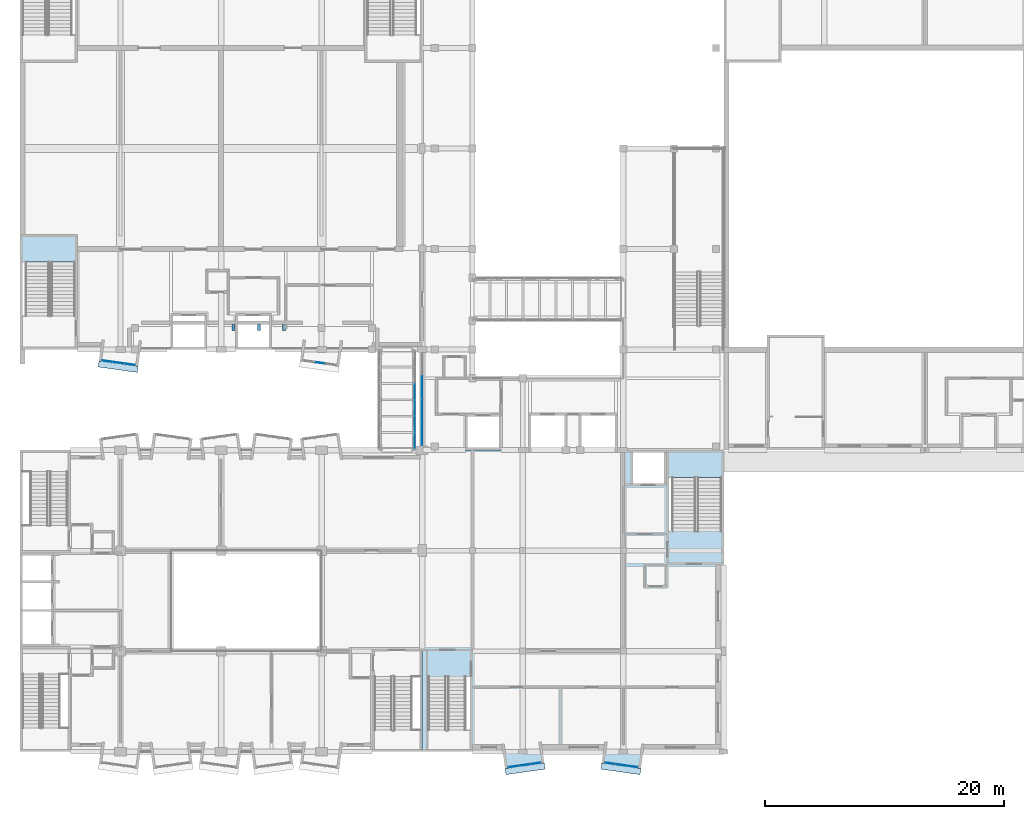
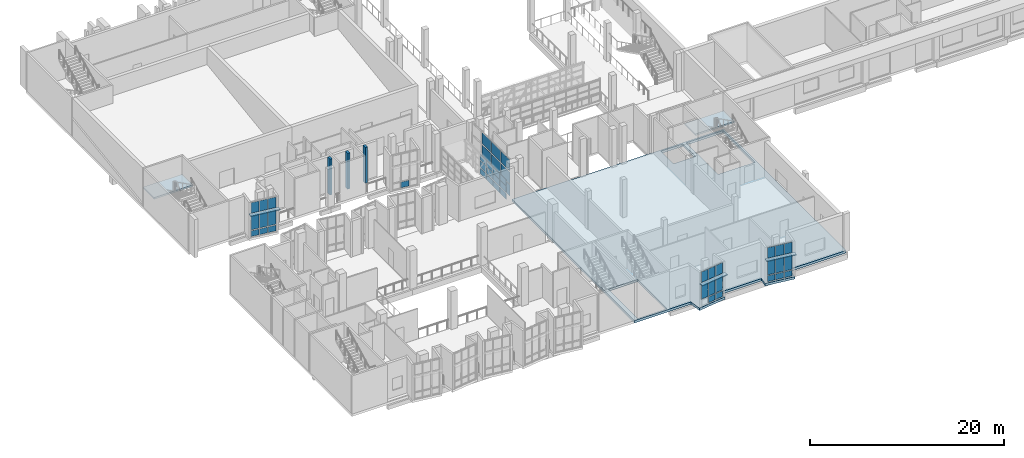
# One storey, part 31 of 86: 54 plates, 3 slabs, 8 elements without a shape of their own.
"""IFC4 building model written with IfcOpenShell, lengths in metres."""

from ifc_helpers import new_model, si_unit, direction, frame, origin, origin_2d, place, context, subcontext, project, spatial, polyline, rectangle, outline, extrude, material, layer, layer_set, type_object, element, aggregate, save


model = new_model("IFC4")

# Units and contexts
model_context = context("Model", 3, precision=1e-05, world=origin(), true_north=direction((0.0, 1.0)))
body_context = subcontext(model_context, "Body", "Model", "MODEL_VIEW")
ifc_project = project(units=[si_unit("LENGTHUNIT", "METRE"), si_unit("AREAUNIT", "SQUARE_METRE"), si_unit("VOLUMEUNIT", "CUBIC_METRE"), si_unit("PLANEANGLEUNIT", "RADIAN"), si_unit("MASSUNIT", "GRAM", prefix="KILO")], contexts=[model_context])

# Site, building, storey
site_placement = place(None, origin())
site = spatial("IfcSite", under=ifc_project, at=site_placement, CompositionType="ELEMENT")
building_placement = place(site_placement, origin())
building = spatial("IfcBuilding", under=site, at=building_placement, Name="Kiln Court Media Centre", CompositionType="ELEMENT")
storey_placement = place(building_placement, frame((0.0, 0.0, 10.199951171875)))
storey = spatial("IfcBuildingStorey", under=building, at=storey_placement, Name="L02", CompositionType="ELEMENT", Elevation=10.199951171875)

# Slab
ifc_material_1 = material(Name="Concrete C30/37", Category="concrete")
ifc_layer_1 = layer(ifc_material_1, 0.300048828125)
ifc_layer_set_1 = layer_set([ifc_layer_1], Name="Concrete C30/37 floor slab 300")
slab_type_1 = type_object("IfcSlabType", Name="Concrete C30/37 floor slab 300", PredefinedType="FLOOR", material=ifc_layer_set_1)
slab_1_placement = place(storey_placement, frame((0.0, 0.0, -0.300048828125)))
element("IfcSlab", 1, at=slab_1_placement, inside=storey, type_object=slab_type_1, Name="L02-SL-1001", PredefinedType="FLOOR", context=body_context, shape_type="SweptSolid", body=[
    extrude(outline(polyline([(40.533203125, -1.41845703125), (40.333251953125, 0.0), (33.60009765625, 0.0), (33.60009765625, 25.199951171875), (58.800048828125, 25.199951171875), (58.800048828125, 0.0), (52.066650390625, 0.0), (51.866943359375, -1.41845703125), (48.598876953125, -0.958984375), (48.7333984375, 0.0), (43.666748046875, 0.0), (43.801025390625, -0.958984375), (40.533203125, -1.41845703125)]), holes=[polyline([(34.10009765625, 0.199951171875), (37.60009765625, 0.199951171875), (37.60009765625, 6.260009765625), (34.10009765625, 6.260009765625), (34.10009765625, 0.199951171875)]), polyline([(54.199951171875, 18.43994140625), (58.60009765625, 18.43994140625), (58.60009765625, 25.0), (54.199951171875, 25.0), (54.199951171875, 18.43994140625)]), polyline([(51.199951171875, 22.39990234375), (53.800048828125, 22.39990234375), (53.800048828125, 25.0), (51.199951171875, 25.0), (51.199951171875, 22.39990234375)])]), origin(), (0.0, 0.0, 1.0), 0.300048828125),
])

# Plates
ifc_material_2 = material(Name="Concrete C30/37", Category="concrete")
ifc_layer_2 = layer(ifc_material_2, 0.1201171875)
ifc_layer_set_2 = layer_set([ifc_layer_2], Name="Concrete C30/37 sunshade hood 120")
plate_type_1 = type_object("IfcPlateType", Name="Concrete C30/37 sunshade hood 120", PredefinedType="USERDEFINED", material=ifc_layer_set_2)
plate_1_placement = place(storey_placement, frame((0.0, 0.0, 3.0)))
element("IfcPlate", 2, at=plate_1_placement, inside=storey, type_object=plate_type_1, Name="SUNSHADE V4-S-L02-10", ObjectType="SUNSHADE", PredefinedType="USERDEFINED", context=body_context, shape_type="SweptSolid", body=[
    extrude(outline(polyline([(6.59912109375, 32.641357421875), (9.866943359375, 32.181884765625), (9.79736328125, 31.68701171875), (6.529541015625, 32.146240234375), (6.59912109375, 32.641357421875)])), origin(), (0.0, 0.0, 1.0), 0.1201171875),
])
plate_2_placement = place(storey_placement, frame((0.0, 0.0, 3.0)))
element("IfcPlate", 3, at=plate_2_placement, inside=storey, type_object=plate_type_1, Name="SUNSHADE V6B-S-L02-04", ObjectType="SUNSHADE", PredefinedType="USERDEFINED", context=body_context, shape_type="SweptSolid", body=[
    extrude(outline(polyline([(40.533203125, -1.41796875), (43.801025390625, -0.958740234375), (43.87060546875, -1.453857421875), (40.602783203125, -1.9130859375), (40.533203125, -1.41796875)])), origin(), (0.0, 0.0, 1.0), 0.1201171875),
])
plate_3_placement = place(storey_placement, frame((0.0, 0.0, 3.0)))
element("IfcPlate", 4, at=plate_3_placement, inside=storey, type_object=plate_type_1, Name="SUNSHADE V6B-S-L02-05", ObjectType="SUNSHADE", PredefinedType="USERDEFINED", context=body_context, shape_type="SweptSolid", body=[
    extrude(outline(polyline([(48.59912109375, -0.958740234375), (51.866943359375, -1.41796875), (51.79736328125, -1.9130859375), (48.529541015625, -1.453857421875), (48.59912109375, -0.958740234375)])), origin(), (0.0, 0.0, 1.0), 0.1201171875),
])
ifc_material_3 = material(Name="Concrete C40/50", Category="concrete")
ifc_layer_3 = layer(ifc_material_3, 0.25)
ifc_layer_set_3 = layer_set([ifc_layer_3], Name="Concrete C40/50 shading fin 250")
plate_type_2 = type_object("IfcPlateType", Name="Concrete C40/50 shading fin 250", PredefinedType="SHEET", material=ifc_layer_set_3)
for number, where, z_axis, x_axis, name in (
    (5, (17.85009765625, 35.449951171875, 0.0), (0.0, 0.0, 1.0), (1.0, 0.0, 0.0), "V4 S fin L02"),
    (6, (19.949951171875, 35.449951171875, 0.0), (0.0, 0.0, 1.0), (1.0, 0.0, 0.0), "V4 S fin L02"),
    (7, (22.050048828125, 35.449951171875, 0.0), (0.0, 0.0, 1.0), (1.0, 0.0, 0.0), "V4 S fin L02"),
):
    element("IfcPlate", number, at=place(storey_placement, frame(where, z_axis=z_axis, x_axis=x_axis)), inside=storey, type_object=plate_type_2, Name=name, PredefinedType="SHEET", context=body_context, shape_type="SweptSolid", body=[
        extrude(rectangle(XDim=0.25, YDim=0.5, at=origin_2d()), origin(), (0.0, 0.0, 1.0), 4.5),
    ])

# Stair, slab
ifc_material_4 = material(Name="Concrete C40/50", Category="concrete")
stair_type = type_object("IfcStairType", Name="Concrete C40/50 dog-leg stair 2000 wide, 150 riser", PredefinedType="HALF_TURN_STAIR", material=ifc_material_4)
stair_1_placement = place(storey_placement, origin())
stair_1 = element("IfcStair", 8, at=stair_1_placement, inside=storey, type_object=stair_type, Name="ST-05 L02", PredefinedType="HALF_TURN_STAIR")
ifc_material_5 = material(Name="Concrete C40/50", Category="concrete")
ifc_layer_4 = layer(ifc_material_5, 0.199951171875)
ifc_layer_set_4 = layer_set([ifc_layer_4], Name="Concrete C40/50 stair landing 200")
slab_type_2 = type_object("IfcSlabType", Name="Concrete C40/50 stair landing 200", PredefinedType="LANDING", material=ifc_layer_set_4)
slab_2_placement = place(storey_placement, frame((0.0, 0.0, 2.199951171875)))
slab_2 = element("IfcSlab", 9, at=slab_2_placement, type_object=slab_type_2, Name="L02-ST-5004 landing 5004", PredefinedType="LANDING", context=body_context, shape_type="SweptSolid", body=[
    extrude(outline(polyline([(58.719970703125, 22.89990234375), (58.719970703125, 25.1201171875), (54.080078125, 25.1201171875), (54.080078125, 22.89990234375), (58.719970703125, 22.89990234375)])), origin(), (0.0, 0.0, 1.0), 0.2001953125),
])
aggregate(stair_1, [slab_2])

stair_2_placement = place(storey_placement, origin())
stair_2 = element("IfcStair", 10, at=stair_2_placement, inside=storey, type_object=stair_type, Name="ST-06 L02", PredefinedType="HALF_TURN_STAIR")
slab_3_placement = place(storey_placement, frame((0.0, 0.0, 2.199951171875)))
slab_3 = element("IfcSlab", 11, at=slab_3_placement, type_object=slab_type_2, Name="L02-ST-5005 landing 5005", PredefinedType="LANDING", context=body_context, shape_type="SweptSolid", body=[
    extrude(outline(polyline([(4.719970703125, 40.89990234375), (4.719970703125, 43.1201171875), (0.080078125, 43.1201171875), (0.080078125, 40.89990234375), (4.719970703125, 40.89990234375)])), origin(), (0.0, 0.0, 1.0), 0.2001953125),
])
aggregate(stair_2, [slab_3])

# Curtain wall, plates
ifc_material_6 = material(Name="Aluminium 6063-T6", Category="aluminium")
ifc_layer_5 = layer(ifc_material_6, 0.1201171875)
ifc_layer_set_5 = layer_set([ifc_layer_5], Name="Aluminium unitised curtain wall, bridge")
curtain_wall_type_1 = type_object("IfcCurtainWallType", Name="Aluminium unitised curtain wall, bridge", PredefinedType="USERDEFINED", material=ifc_layer_set_5)
curtain_wall_1_placement = place(storey_placement, origin())
curtain_wall_1 = element("IfcCurtainWall", 12, at=curtain_wall_1_placement, inside=storey, type_object=curtain_wall_type_1, Name="BR-1 side glazing", ObjectType="UNITISED CURTAIN WALL", PredefinedType="USERDEFINED")
ifc_material_7 = material(Name="Aluminium insulated spandrel", Category="aluminium")
ifc_layer_6 = layer(ifc_material_7, 0.028076171875)
ifc_layer_set_6 = layer_set([ifc_layer_6], Name="Insulated aluminium spandrel panel 28")
plate_type_3 = type_object("IfcPlateType", Name="Insulated aluminium spandrel panel 28", PredefinedType="CURTAIN_PANEL", material=ifc_layer_set_6)
plate_4_placement = place(storey_placement, frame((32.985107421875, 25.995849609375, 0.10009765625), z_axis=(0.0, 0.0, 1.0), x_axis=(0.0, 1.0, 0.0)))
plate_4 = element("IfcPlate", 13, at=plate_4_placement, type_object=plate_type_3, Name="CW2-64 panel 1.1", PredefinedType="CURTAIN_PANEL", context=body_context, shape_type="SweptSolid", body=[
    extrude(rectangle(XDim=1.291748046875, YDim=0.028076171875, at=origin_2d()), origin(), (0.0, 0.0, 1.0), 0.74169921875),
])
plate_5_placement = place(storey_placement, frame((32.985107421875, 25.995849609375, 0.94189453125), z_axis=(0.0, 0.0, 1.0), x_axis=(0.0, 1.0, 0.0)))
plate_5 = element("IfcPlate", 14, at=plate_5_placement, type_object=plate_type_3, Name="CW2-64 panel 1.2", PredefinedType="CURTAIN_PANEL", context=body_context, shape_type="SweptSolid", body=[
    extrude(rectangle(XDim=1.291748046875, YDim=0.028076171875, at=origin_2d()), origin(), (0.0, 0.0, 1.0), 0.79150390625),
])
plate_6_placement = place(storey_placement, frame((32.985107421875, 27.35009765625, 0.10009765625), z_axis=(0.0, 0.0, 1.0), x_axis=(0.0, 1.0, 0.0)))
plate_6 = element("IfcPlate", 15, at=plate_6_placement, type_object=plate_type_3, Name="CW2-64 panel 2.1", PredefinedType="CURTAIN_PANEL", context=body_context, shape_type="SweptSolid", body=[
    extrude(rectangle(XDim=1.316650390625, YDim=0.028076171875, at=origin_2d()), origin(), (0.0, 0.0, 1.0), 0.74169921875),
])
plate_7_placement = place(storey_placement, frame((32.985107421875, 27.35009765625, 1.833251953125), z_axis=(0.0, 0.0, 1.0), x_axis=(0.0, 1.0, 0.0)))
plate_7 = element("IfcPlate", 16, at=plate_7_placement, type_object=plate_type_3, Name="CW2-64 panel 2.3", PredefinedType="CURTAIN_PANEL", context=body_context, shape_type="SweptSolid", body=[
    extrude(rectangle(XDim=1.316650390625, YDim=0.028076171875, at=origin_2d()), origin(), (0.0, 0.0, 1.0), 0.74169921875),
])
plate_8_placement = place(storey_placement, frame((32.985107421875, 28.716552734375, 0.10009765625), z_axis=(0.0, 0.0, 1.0), x_axis=(0.0, 1.0, 0.0)))
plate_8 = element("IfcPlate", 17, at=plate_8_placement, type_object=plate_type_3, Name="CW2-64 panel 3.1", PredefinedType="CURTAIN_PANEL", context=body_context, shape_type="SweptSolid", body=[
    extrude(rectangle(XDim=1.316650390625, YDim=0.028076171875, at=origin_2d()), origin(), (0.0, 0.0, 1.0), 0.74169921875),
])
plate_9_placement = place(storey_placement, frame((32.985107421875, 28.716552734375, 0.94189453125), z_axis=(0.0, 0.0, 1.0), x_axis=(0.0, 1.0, 0.0)))
plate_9 = element("IfcPlate", 18, at=plate_9_placement, type_object=plate_type_3, Name="CW2-64 panel 3.2", PredefinedType="CURTAIN_PANEL", context=body_context, shape_type="SweptSolid", body=[
    extrude(rectangle(XDim=1.316650390625, YDim=0.028076171875, at=origin_2d()), origin(), (0.0, 0.0, 1.0), 0.79150390625),
])
plate_10_placement = place(storey_placement, frame((32.985107421875, 28.716552734375, 1.833251953125), z_axis=(0.0, 0.0, 1.0), x_axis=(0.0, 1.0, 0.0)))
plate_10 = element("IfcPlate", 19, at=plate_10_placement, type_object=plate_type_3, Name="CW2-64 panel 3.3", PredefinedType="CURTAIN_PANEL", context=body_context, shape_type="SweptSolid", body=[
    extrude(rectangle(XDim=1.316650390625, YDim=0.028076171875, at=origin_2d()), origin(), (0.0, 0.0, 1.0), 0.74169921875),
])
plate_11_placement = place(storey_placement, frame((32.985107421875, 30.083251953125, 0.10009765625), z_axis=(0.0, 0.0, 1.0), x_axis=(0.0, 1.0, 0.0)))
plate_11 = element("IfcPlate", 20, at=plate_11_placement, type_object=plate_type_3, Name="CW2-64 panel 4.1", PredefinedType="CURTAIN_PANEL", context=body_context, shape_type="SweptSolid", body=[
    extrude(rectangle(XDim=1.316650390625, YDim=0.028076171875, at=origin_2d()), origin(), (0.0, 0.0, 1.0), 0.74169921875),
])
plate_12_placement = place(storey_placement, frame((32.985107421875, 30.083251953125, 0.94189453125), z_axis=(0.0, 0.0, 1.0), x_axis=(0.0, 1.0, 0.0)))
plate_12 = element("IfcPlate", 21, at=plate_12_placement, type_object=plate_type_3, Name="CW2-64 panel 4.2", PredefinedType="CURTAIN_PANEL", context=body_context, shape_type="SweptSolid", body=[
    extrude(rectangle(XDim=1.316650390625, YDim=0.028076171875, at=origin_2d()), origin(), (0.0, 0.0, 1.0), 0.79150390625),
])
plate_13_placement = place(storey_placement, frame((32.985107421875, 30.083251953125, 1.833251953125), z_axis=(0.0, 0.0, 1.0), x_axis=(0.0, 1.0, 0.0)))
plate_13 = element("IfcPlate", 22, at=plate_13_placement, type_object=plate_type_3, Name="CW2-64 panel 4.3", PredefinedType="CURTAIN_PANEL", context=body_context, shape_type="SweptSolid", body=[
    extrude(rectangle(XDim=1.316650390625, YDim=0.028076171875, at=origin_2d()), origin(), (0.0, 0.0, 1.0), 0.74169921875),
])

ifc_material_8 = material(Name="Aluminium 6063-T6", Category="aluminium")
ifc_layer_7 = layer(ifc_material_8, 0.1201171875)
ifc_layer_set_7 = layer_set([ifc_layer_7], Name="Aluminium stick curtain wall, gallery")
curtain_wall_type_2 = type_object("IfcCurtainWallType", Name="Aluminium stick curtain wall, gallery", PredefinedType="USERDEFINED", material=ifc_layer_set_7)
curtain_wall_2_placement = place(storey_placement, origin())
curtain_wall_2 = element("IfcCurtainWall", 23, at=curtain_wall_2_placement, inside=storey, type_object=curtain_wall_type_2, Name="Foyer west glazing L02", ObjectType="STICK CURTAIN WALL", PredefinedType="USERDEFINED")
ifc_material_9 = material(Name="Aluminium insulated spandrel", Category="aluminium")
ifc_layer_8 = layer(ifc_material_9, 0.033935546875)
ifc_layer_set_8 = layer_set([ifc_layer_8], Name="Insulated aluminium spandrel panel 34")
plate_type_4 = type_object("IfcPlateType", Name="Insulated aluminium spandrel panel 34", PredefinedType="CURTAIN_PANEL", material=ifc_layer_set_8)
plate_14_placement = place(storey_placement, frame((33.60009765625, 26.5400390625, 0.14013671875), z_axis=(0.0, 0.0, 1.0), x_axis=(0.0, 1.0, 0.0)))
plate_14 = element("IfcPlate", 24, at=plate_14_placement, type_object=plate_type_4, Name="CW2-62 panel 1.1", PredefinedType="CURTAIN_PANEL", context=body_context, shape_type="SweptSolid", body=[
    extrude(rectangle(XDim=1.860107421875, YDim=0.033935546875, at=origin_2d()), origin(), (0.0, 0.0, 1.0), 1.389892578125),
])
plate_15_placement = place(storey_placement, frame((33.60009765625, 26.5400390625, 1.670166015625), z_axis=(0.0, 0.0, 1.0), x_axis=(0.0, 1.0, 0.0)))
plate_15 = element("IfcPlate", 25, at=plate_15_placement, type_object=plate_type_4, Name="CW2-62 panel 1.2", PredefinedType="CURTAIN_PANEL", context=body_context, shape_type="SweptSolid", body=[
    extrude(rectangle(XDim=1.860107421875, YDim=0.033935546875, at=origin_2d()), origin(), (0.0, 0.0, 1.0), 1.4599609375),
])
plate_16_placement = place(storey_placement, frame((33.60009765625, 28.47509765625, 0.14013671875), z_axis=(0.0, 0.0, 1.0), x_axis=(0.0, 1.0, 0.0)))
plate_16 = element("IfcPlate", 26, at=plate_16_placement, type_object=plate_type_4, Name="CW2-62 panel 2.1", PredefinedType="CURTAIN_PANEL", context=body_context, shape_type="SweptSolid", body=[
    extrude(rectangle(XDim=1.889892578125, YDim=0.033935546875, at=origin_2d()), origin(), (0.0, 0.0, 1.0), 1.389892578125),
])
plate_17_placement = place(storey_placement, frame((33.60009765625, 28.47509765625, 1.670166015625), z_axis=(0.0, 0.0, 1.0), x_axis=(0.0, 1.0, 0.0)))
plate_17 = element("IfcPlate", 27, at=plate_17_placement, type_object=plate_type_4, Name="CW2-62 panel 2.2", PredefinedType="CURTAIN_PANEL", context=body_context, shape_type="SweptSolid", body=[
    extrude(rectangle(XDim=1.889892578125, YDim=0.033935546875, at=origin_2d()), origin(), (0.0, 0.0, 1.0), 1.4599609375),
])
plate_18_placement = place(storey_placement, frame((33.60009765625, 30.425048828125, 0.14013671875), z_axis=(0.0, 0.0, 1.0), x_axis=(0.0, 1.0, 0.0)))
plate_18 = element("IfcPlate", 28, at=plate_18_placement, type_object=plate_type_4, Name="CW2-62 panel 3.1", PredefinedType="CURTAIN_PANEL", context=body_context, shape_type="SweptSolid", body=[
    extrude(rectangle(XDim=1.889892578125, YDim=0.033935546875, at=origin_2d()), origin(), (0.0, 0.0, 1.0), 1.389892578125),
])
plate_19_placement = place(storey_placement, frame((33.60009765625, 30.425048828125, 1.670166015625), z_axis=(0.0, 0.0, 1.0), x_axis=(0.0, 1.0, 0.0)))
plate_19 = element("IfcPlate", 29, at=plate_19_placement, type_object=plate_type_4, Name="CW2-62 panel 3.2", PredefinedType="CURTAIN_PANEL", context=body_context, shape_type="SweptSolid", body=[
    extrude(rectangle(XDim=1.889892578125, YDim=0.033935546875, at=origin_2d()), origin(), (0.0, 0.0, 1.0), 1.4599609375),
])

ifc_material_10 = material(Name="Aluminium 6063-T6", Category="aluminium")
ifc_layer_9 = layer(ifc_material_10, 0.1201171875)
ifc_layer_set_9 = layer_set([ifc_layer_9], Name="Aluminium unitised bay curtain wall")
curtain_wall_type_3 = type_object("IfcCurtainWallType", Name="Aluminium unitised bay curtain wall", PredefinedType="USERDEFINED", material=ifc_layer_set_9)
curtain_wall_3_placement = place(storey_placement, origin())
curtain_wall_3 = element("IfcCurtainWall", 30, at=curtain_wall_3_placement, inside=storey, type_object=curtain_wall_type_3, Name="BAY V4-S-L02-10 front", ObjectType="UNITISED CURTAIN WALL", PredefinedType="USERDEFINED")
ifc_material_11 = material(Name="Aluminium insulated spandrel", Category="aluminium")
ifc_layer_10 = layer(ifc_material_11, 0.028076171875)
ifc_layer_set_10 = layer_set([ifc_layer_10], Name="Insulated spandrel panel 28")
plate_type_5 = type_object("IfcPlateType", Name="Insulated spandrel panel 28", PredefinedType="CURTAIN_PANEL", material=ifc_layer_set_10)
plate_20_placement = place(storey_placement, frame((7.3115234375, 32.621826171875, 0.1201171875), z_axis=(0.0, 0.0, 1.0), x_axis=(0.990269562409, -0.139162472554, 0.0)))
plate_20 = element("IfcPlate", 31, at=plate_20_placement, type_object=plate_type_5, Name="CW2-01 panel 1.1", PredefinedType="CURTAIN_PANEL", context=body_context, shape_type="SweptSolid", body=[
    extrude(rectangle(XDim=0.86669921875, YDim=0.028076171875, at=origin_2d()), origin(), (0.0, 0.0, 1.0), 0.719970703125),
])
plate_21_placement = place(storey_placement, frame((8.244140625, 32.490966796875, 0.1201171875), z_axis=(0.0, 0.0, 1.0), x_axis=(0.990269562409, -0.139162472554, 0.0)))
plate_21 = element("IfcPlate", 32, at=plate_21_placement, type_object=plate_type_5, Name="CW2-01 panel 2.1", PredefinedType="CURTAIN_PANEL", context=body_context, shape_type="SweptSolid", body=[
    extrude(rectangle(XDim=0.896728515625, YDim=0.028076171875, at=origin_2d()), origin(), (0.0, 0.0, 1.0), 0.719970703125),
])
plate_22_placement = place(storey_placement, frame((9.1767578125, 32.35986328125, 0.1201171875), z_axis=(0.0, 0.0, 1.0), x_axis=(0.990269562409, -0.139162472554, 0.0)))
plate_22 = element("IfcPlate", 33, at=plate_22_placement, type_object=plate_type_5, Name="CW2-01 panel 3.1", PredefinedType="CURTAIN_PANEL", context=body_context, shape_type="SweptSolid", body=[
    extrude(rectangle(XDim=0.86669921875, YDim=0.028076171875, at=origin_2d()), origin(), (0.0, 0.0, 1.0), 0.719970703125),
])

# Curtain wall, plate
curtain_wall_4_placement = place(storey_placement, origin())
curtain_wall_4 = element("IfcCurtainWall", 34, at=curtain_wall_4_placement, inside=storey, type_object=curtain_wall_type_3, Name="BAY V4-S-L02-14 front", ObjectType="UNITISED CURTAIN WALL", PredefinedType="USERDEFINED")
plate_23_placement = place(storey_placement, frame((25.044189453125, 32.490966796875, 0.1201171875), z_axis=(0.0, 0.0, 1.0), x_axis=(0.990269562409, -0.139162472554, 0.0)))
plate_23 = element("IfcPlate", 35, at=plate_23_placement, type_object=plate_type_5, Name="CW2-02 panel 2.1", PredefinedType="CURTAIN_PANEL", context=body_context, shape_type="SweptSolid", body=[
    extrude(rectangle(XDim=0.896728515625, YDim=0.028076171875, at=origin_2d()), origin(), (0.0, 0.0, 1.0), 0.719970703125),
])
aggregate(curtain_wall_4, [plate_23])

# Curtain wall, plates
curtain_wall_5_placement = place(storey_placement, origin())
curtain_wall_5 = element("IfcCurtainWall", 36, at=curtain_wall_5_placement, inside=storey, type_object=curtain_wall_type_3, Name="BAY V6B-S-L02-04 front", ObjectType="UNITISED CURTAIN WALL", PredefinedType="USERDEFINED")
plate_24_placement = place(storey_placement, frame((42.15576171875, -1.109130859375, 0.1201171875), z_axis=(0.0, 0.0, 1.0), x_axis=(0.990269562409, 0.139162472554, 0.0)))
plate_24 = element("IfcPlate", 37, at=plate_24_placement, type_object=plate_type_5, Name="CW2-13 panel 2.1", PredefinedType="CURTAIN_PANEL", context=body_context, shape_type="SweptSolid", body=[
    extrude(rectangle(XDim=0.896728515625, YDim=0.028076171875, at=origin_2d()), origin(), (0.0, 0.0, 1.0), 0.719970703125),
])
plate_25_placement = place(storey_placement, frame((43.08837890625, -0.97802734375, 0.1201171875), z_axis=(0.0, 0.0, 1.0), x_axis=(0.990269562409, 0.139162472554, 0.0)))
plate_25 = element("IfcPlate", 38, at=plate_25_placement, type_object=plate_type_5, Name="CW2-13 panel 3.1", PredefinedType="CURTAIN_PANEL", context=body_context, shape_type="SweptSolid", body=[
    extrude(rectangle(XDim=0.86669921875, YDim=0.028076171875, at=origin_2d()), origin(), (0.0, 0.0, 1.0), 0.719970703125),
])

curtain_wall_6_placement = place(storey_placement, origin())
curtain_wall_6 = element("IfcCurtainWall", 39, at=curtain_wall_6_placement, inside=storey, type_object=curtain_wall_type_3, Name="BAY V6B-S-L02-05 front", ObjectType="UNITISED CURTAIN WALL", PredefinedType="USERDEFINED")
plate_26_placement = place(storey_placement, frame((49.3115234375, -0.97802734375, 0.1201171875), z_axis=(0.0, 0.0, 1.0), x_axis=(0.990269562409, -0.139162472554, 0.0)))
plate_26 = element("IfcPlate", 40, at=plate_26_placement, type_object=plate_type_5, Name="CW2-14 panel 1.1", PredefinedType="CURTAIN_PANEL", context=body_context, shape_type="SweptSolid", body=[
    extrude(rectangle(XDim=0.86669921875, YDim=0.028076171875, at=origin_2d()), origin(), (0.0, 0.0, 1.0), 0.719970703125),
])
plate_27_placement = place(storey_placement, frame((50.244140625, -1.109130859375, 0.1201171875), z_axis=(0.0, 0.0, 1.0), x_axis=(0.990269562409, -0.139162472554, 0.0)))
plate_27 = element("IfcPlate", 41, at=plate_27_placement, type_object=plate_type_5, Name="CW2-14 panel 2.1", PredefinedType="CURTAIN_PANEL", context=body_context, shape_type="SweptSolid", body=[
    extrude(rectangle(XDim=0.896728515625, YDim=0.028076171875, at=origin_2d()), origin(), (0.0, 0.0, 1.0), 0.719970703125),
])
plate_28_placement = place(storey_placement, frame((51.1767578125, -1.240234375, 0.1201171875), z_axis=(0.0, 0.0, 1.0), x_axis=(0.990269562409, -0.139162472554, 0.0)))
plate_28 = element("IfcPlate", 42, at=plate_28_placement, type_object=plate_type_5, Name="CW2-14 panel 3.1", PredefinedType="CURTAIN_PANEL", context=body_context, shape_type="SweptSolid", body=[
    extrude(rectangle(XDim=0.86669921875, YDim=0.028076171875, at=origin_2d()), origin(), (0.0, 0.0, 1.0), 0.719970703125),
])

# Plate
ifc_material_12 = material(Name="Laminated low-E glazing", Category="glass")
ifc_layer_11 = layer(ifc_material_12, 0.028076171875)
ifc_layer_set_11 = layer_set([ifc_layer_11], Name="Laminated low-E glazed panel 28")
plate_type_6 = type_object("IfcPlateType", Name="Laminated low-E glazed panel 28", PredefinedType="CURTAIN_PANEL", material=ifc_layer_set_11)
plate_29_placement = place(storey_placement, frame((32.985107421875, 25.995849609375, 1.833251953125), z_axis=(0.0, 0.0, 1.0), x_axis=(0.0, 1.0, 0.0)))
plate_29 = element("IfcPlate", 43, at=plate_29_placement, type_object=plate_type_6, Name="CW2-64 panel 1.3", PredefinedType="CURTAIN_PANEL", context=body_context, shape_type="SweptSolid", body=[
    extrude(rectangle(XDim=1.291748046875, YDim=0.028076171875, at=origin_2d()), origin(), (0.0, 0.0, 1.0), 0.74169921875),
])

plate_30_placement = place(storey_placement, frame((32.985107421875, 27.35009765625, 0.94189453125), z_axis=(0.0, 0.0, 1.0), x_axis=(0.0, 1.0, 0.0)))
plate_30 = element("IfcPlate", 44, at=plate_30_placement, type_object=plate_type_6, Name="CW2-64 panel 2.2", PredefinedType="CURTAIN_PANEL", context=body_context, shape_type="SweptSolid", body=[
    extrude(rectangle(XDim=1.316650390625, YDim=0.028076171875, at=origin_2d()), origin(), (0.0, 0.0, 1.0), 0.79150390625),
])

aggregate(curtain_wall_1, [plate_4, plate_5, plate_29, plate_6, plate_30, plate_7, plate_8, plate_9, plate_10, plate_11, plate_12, plate_13])

ifc_material_13 = material(Name="Laminated low-E glazing", Category="glass")
ifc_layer_12 = layer(ifc_material_13, 0.033935546875)
ifc_layer_set_12 = layer_set([ifc_layer_12], Name="Laminated low-E glazed panel 34")
plate_type_7 = type_object("IfcPlateType", Name="Laminated low-E glazed panel 34", PredefinedType="CURTAIN_PANEL", material=ifc_layer_set_12)
plate_31_placement = place(storey_placement, frame((33.60009765625, 26.5400390625, 3.27001953125), z_axis=(0.0, 0.0, 1.0), x_axis=(0.0, 1.0, 0.0)))
plate_31 = element("IfcPlate", 45, at=plate_31_placement, type_object=plate_type_7, Name="CW2-62 panel 1.3", PredefinedType="CURTAIN_PANEL", context=body_context, shape_type="SweptSolid", body=[
    extrude(rectangle(XDim=1.860107421875, YDim=0.033935546875, at=origin_2d()), origin(), (0.0, 0.0, 1.0), 1.389892578125),
])

plate_32_placement = place(storey_placement, frame((33.60009765625, 28.47509765625, 3.27001953125), z_axis=(0.0, 0.0, 1.0), x_axis=(0.0, 1.0, 0.0)))
plate_32 = element("IfcPlate", 46, at=plate_32_placement, type_object=plate_type_7, Name="CW2-62 panel 2.3", PredefinedType="CURTAIN_PANEL", context=body_context, shape_type="SweptSolid", body=[
    extrude(rectangle(XDim=1.889892578125, YDim=0.033935546875, at=origin_2d()), origin(), (0.0, 0.0, 1.0), 1.389892578125),
])

plate_33_placement = place(storey_placement, frame((33.60009765625, 30.425048828125, 3.27001953125), z_axis=(0.0, 0.0, 1.0), x_axis=(0.0, 1.0, 0.0)))
plate_33 = element("IfcPlate", 47, at=plate_33_placement, type_object=plate_type_7, Name="CW2-62 panel 3.3", PredefinedType="CURTAIN_PANEL", context=body_context, shape_type="SweptSolid", body=[
    extrude(rectangle(XDim=1.889892578125, YDim=0.033935546875, at=origin_2d()), origin(), (0.0, 0.0, 1.0), 1.389892578125),
])

aggregate(curtain_wall_2, [plate_14, plate_15, plate_31, plate_16, plate_17, plate_32, plate_18, plate_19, plate_33])

ifc_material_14 = material(Name="Low-E double glazing", Category="glass")
ifc_layer_13 = layer(ifc_material_14, 0.028076171875)
ifc_layer_set_13 = layer_set([ifc_layer_13], Name="Low-E double glazed panel 28")
plate_type_8 = type_object("IfcPlateType", Name="Low-E double glazed panel 28", PredefinedType="CURTAIN_PANEL", material=ifc_layer_set_13)
plate_34_placement = place(storey_placement, frame((7.3115234375, 32.621826171875, 0.9599609375), z_axis=(0.0, 0.0, 1.0), x_axis=(0.990269562409, -0.139162472554, 0.0)))
plate_34 = element("IfcPlate", 48, at=plate_34_placement, type_object=plate_type_8, Name="CW2-01 panel 1.2", PredefinedType="CURTAIN_PANEL", context=body_context, shape_type="SweptSolid", body=[
    extrude(rectangle(XDim=0.86669921875, YDim=0.028076171875, at=origin_2d()), origin(), (0.0, 0.0, 1.0), 1.97998046875),
])

plate_35_placement = place(storey_placement, frame((7.3115234375, 32.621826171875, 3.06005859375), z_axis=(0.0, 0.0, 1.0), x_axis=(0.990269562409, -0.139162472554, 0.0)))
plate_35 = element("IfcPlate", 49, at=plate_35_placement, type_object=plate_type_8, Name="CW2-01 panel 1.3", PredefinedType="CURTAIN_PANEL", context=body_context, shape_type="SweptSolid", body=[
    extrude(rectangle(XDim=0.86669921875, YDim=0.028076171875, at=origin_2d()), origin(), (0.0, 0.0, 1.0), 1.320068359375),
])

plate_36_placement = place(storey_placement, frame((8.244140625, 32.490966796875, 0.9599609375), z_axis=(0.0, 0.0, 1.0), x_axis=(0.990269562409, -0.139162472554, 0.0)))
plate_36 = element("IfcPlate", 50, at=plate_36_placement, type_object=plate_type_8, Name="CW2-01 panel 2.2", PredefinedType="CURTAIN_PANEL", context=body_context, shape_type="SweptSolid", body=[
    extrude(rectangle(XDim=0.896728515625, YDim=0.028076171875, at=origin_2d()), origin(), (0.0, 0.0, 1.0), 1.97998046875),
])

plate_37_placement = place(storey_placement, frame((8.244140625, 32.490966796875, 3.06005859375), z_axis=(0.0, 0.0, 1.0), x_axis=(0.990269562409, -0.139162472554, 0.0)))
plate_37 = element("IfcPlate", 51, at=plate_37_placement, type_object=plate_type_8, Name="CW2-01 panel 2.3", PredefinedType="CURTAIN_PANEL", context=body_context, shape_type="SweptSolid", body=[
    extrude(rectangle(XDim=0.896728515625, YDim=0.028076171875, at=origin_2d()), origin(), (0.0, 0.0, 1.0), 1.320068359375),
])

plate_38_placement = place(storey_placement, frame((9.1767578125, 32.35986328125, 0.9599609375), z_axis=(0.0, 0.0, 1.0), x_axis=(0.990269562409, -0.139162472554, 0.0)))
plate_38 = element("IfcPlate", 52, at=plate_38_placement, type_object=plate_type_8, Name="CW2-01 panel 3.2", PredefinedType="CURTAIN_PANEL", context=body_context, shape_type="SweptSolid", body=[
    extrude(rectangle(XDim=0.86669921875, YDim=0.028076171875, at=origin_2d()), origin(), (0.0, 0.0, 1.0), 1.97998046875),
])

plate_39_placement = place(storey_placement, frame((9.1767578125, 32.35986328125, 3.06005859375), z_axis=(0.0, 0.0, 1.0), x_axis=(0.990269562409, -0.139162472554, 0.0)))
plate_39 = element("IfcPlate", 53, at=plate_39_placement, type_object=plate_type_8, Name="CW2-01 panel 3.3", PredefinedType="CURTAIN_PANEL", context=body_context, shape_type="SweptSolid", body=[
    extrude(rectangle(XDim=0.86669921875, YDim=0.028076171875, at=origin_2d()), origin(), (0.0, 0.0, 1.0), 1.320068359375),
])

aggregate(curtain_wall_3, [plate_20, plate_34, plate_35, plate_21, plate_36, plate_37, plate_22, plate_38, plate_39])

plate_40_placement = place(storey_placement, frame((41.223388671875, -1.240234375, 0.9599609375), z_axis=(0.0, 0.0, 1.0), x_axis=(0.990269562409, 0.139162472554, 0.0)))
plate_40 = element("IfcPlate", 54, at=plate_40_placement, type_object=plate_type_8, Name="CW2-13 panel 1.2", PredefinedType="CURTAIN_PANEL", context=body_context, shape_type="SweptSolid", body=[
    extrude(rectangle(XDim=0.86669921875, YDim=0.028076171875, at=origin_2d()), origin(), (0.0, 0.0, 1.0), 1.97998046875),
])

plate_41_placement = place(storey_placement, frame((41.223388671875, -1.240234375, 3.06005859375), z_axis=(0.0, 0.0, 1.0), x_axis=(0.990269562409, 0.139162472554, 0.0)))
plate_41 = element("IfcPlate", 55, at=plate_41_placement, type_object=plate_type_8, Name="CW2-13 panel 1.3", PredefinedType="CURTAIN_PANEL", context=body_context, shape_type="SweptSolid", body=[
    extrude(rectangle(XDim=0.86669921875, YDim=0.028076171875, at=origin_2d()), origin(), (0.0, 0.0, 1.0), 1.320068359375),
])

plate_42_placement = place(storey_placement, frame((42.15576171875, -1.109130859375, 0.9599609375), z_axis=(0.0, 0.0, 1.0), x_axis=(0.990269562409, 0.139162472554, 0.0)))
plate_42 = element("IfcPlate", 56, at=plate_42_placement, type_object=plate_type_8, Name="CW2-13 panel 2.2", PredefinedType="CURTAIN_PANEL", context=body_context, shape_type="SweptSolid", body=[
    extrude(rectangle(XDim=0.896728515625, YDim=0.028076171875, at=origin_2d()), origin(), (0.0, 0.0, 1.0), 1.97998046875),
])

plate_43_placement = place(storey_placement, frame((42.15576171875, -1.109130859375, 3.06005859375), z_axis=(0.0, 0.0, 1.0), x_axis=(0.990269562409, 0.139162472554, 0.0)))
plate_43 = element("IfcPlate", 57, at=plate_43_placement, type_object=plate_type_8, Name="CW2-13 panel 2.3", PredefinedType="CURTAIN_PANEL", context=body_context, shape_type="SweptSolid", body=[
    extrude(rectangle(XDim=0.896728515625, YDim=0.028076171875, at=origin_2d()), origin(), (0.0, 0.0, 1.0), 1.320068359375),
])

plate_44_placement = place(storey_placement, frame((43.08837890625, -0.97802734375, 0.9599609375), z_axis=(0.0, 0.0, 1.0), x_axis=(0.990269562409, 0.139162472554, 0.0)))
plate_44 = element("IfcPlate", 58, at=plate_44_placement, type_object=plate_type_8, Name="CW2-13 panel 3.2", PredefinedType="CURTAIN_PANEL", context=body_context, shape_type="SweptSolid", body=[
    extrude(rectangle(XDim=0.86669921875, YDim=0.028076171875, at=origin_2d()), origin(), (0.0, 0.0, 1.0), 1.97998046875),
])

plate_45_placement = place(storey_placement, frame((43.08837890625, -0.97802734375, 3.06005859375), z_axis=(0.0, 0.0, 1.0), x_axis=(0.990269562409, 0.139162472554, 0.0)))
plate_45 = element("IfcPlate", 59, at=plate_45_placement, type_object=plate_type_8, Name="CW2-13 panel 3.3", PredefinedType="CURTAIN_PANEL", context=body_context, shape_type="SweptSolid", body=[
    extrude(rectangle(XDim=0.86669921875, YDim=0.028076171875, at=origin_2d()), origin(), (0.0, 0.0, 1.0), 1.320068359375),
])

aggregate(curtain_wall_5, [plate_40, plate_41, plate_24, plate_42, plate_43, plate_25, plate_44, plate_45])

plate_46_placement = place(storey_placement, frame((49.3115234375, -0.97802734375, 0.9599609375), z_axis=(0.0, 0.0, 1.0), x_axis=(0.990269562409, -0.139162472554, 0.0)))
plate_46 = element("IfcPlate", 60, at=plate_46_placement, type_object=plate_type_8, Name="CW2-14 panel 1.2", PredefinedType="CURTAIN_PANEL", context=body_context, shape_type="SweptSolid", body=[
    extrude(rectangle(XDim=0.86669921875, YDim=0.028076171875, at=origin_2d()), origin(), (0.0, 0.0, 1.0), 1.97998046875),
])

plate_47_placement = place(storey_placement, frame((49.3115234375, -0.97802734375, 3.06005859375), z_axis=(0.0, 0.0, 1.0), x_axis=(0.990269562409, -0.139162472554, 0.0)))
plate_47 = element("IfcPlate", 61, at=plate_47_placement, type_object=plate_type_8, Name="CW2-14 panel 1.3", PredefinedType="CURTAIN_PANEL", context=body_context, shape_type="SweptSolid", body=[
    extrude(rectangle(XDim=0.86669921875, YDim=0.028076171875, at=origin_2d()), origin(), (0.0, 0.0, 1.0), 1.320068359375),
])

plate_48_placement = place(storey_placement, frame((50.244140625, -1.109130859375, 0.9599609375), z_axis=(0.0, 0.0, 1.0), x_axis=(0.990269562409, -0.139162472554, 0.0)))
plate_48 = element("IfcPlate", 62, at=plate_48_placement, type_object=plate_type_8, Name="CW2-14 panel 2.2", PredefinedType="CURTAIN_PANEL", context=body_context, shape_type="SweptSolid", body=[
    extrude(rectangle(XDim=0.896728515625, YDim=0.028076171875, at=origin_2d()), origin(), (0.0, 0.0, 1.0), 1.97998046875),
])

plate_49_placement = place(storey_placement, frame((50.244140625, -1.109130859375, 3.06005859375), z_axis=(0.0, 0.0, 1.0), x_axis=(0.990269562409, -0.139162472554, 0.0)))
plate_49 = element("IfcPlate", 63, at=plate_49_placement, type_object=plate_type_8, Name="CW2-14 panel 2.3", PredefinedType="CURTAIN_PANEL", context=body_context, shape_type="SweptSolid", body=[
    extrude(rectangle(XDim=0.896728515625, YDim=0.028076171875, at=origin_2d()), origin(), (0.0, 0.0, 1.0), 1.320068359375),
])

plate_50_placement = place(storey_placement, frame((51.1767578125, -1.240234375, 0.9599609375), z_axis=(0.0, 0.0, 1.0), x_axis=(0.990269562409, -0.139162472554, 0.0)))
plate_50 = element("IfcPlate", 64, at=plate_50_placement, type_object=plate_type_8, Name="CW2-14 panel 3.2", PredefinedType="CURTAIN_PANEL", context=body_context, shape_type="SweptSolid", body=[
    extrude(rectangle(XDim=0.86669921875, YDim=0.028076171875, at=origin_2d()), origin(), (0.0, 0.0, 1.0), 1.97998046875),
])

plate_51_placement = place(storey_placement, frame((51.1767578125, -1.240234375, 3.06005859375), z_axis=(0.0, 0.0, 1.0), x_axis=(0.990269562409, -0.139162472554, 0.0)))
plate_51 = element("IfcPlate", 65, at=plate_51_placement, type_object=plate_type_8, Name="CW2-14 panel 3.3", PredefinedType="CURTAIN_PANEL", context=body_context, shape_type="SweptSolid", body=[
    extrude(rectangle(XDim=0.86669921875, YDim=0.028076171875, at=origin_2d()), origin(), (0.0, 0.0, 1.0), 1.320068359375),
])

aggregate(curtain_wall_6, [plate_26, plate_46, plate_47, plate_27, plate_48, plate_49, plate_28, plate_50, plate_51])

save(model, "model.ifc")
